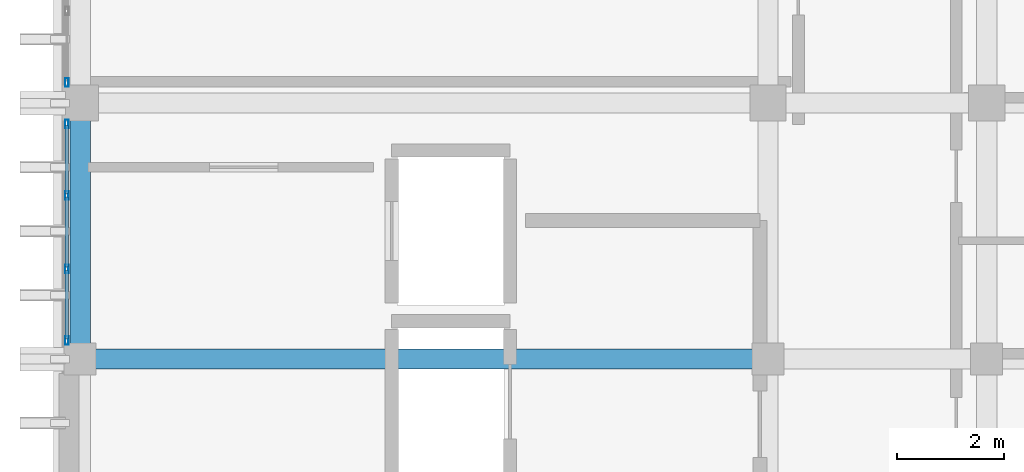
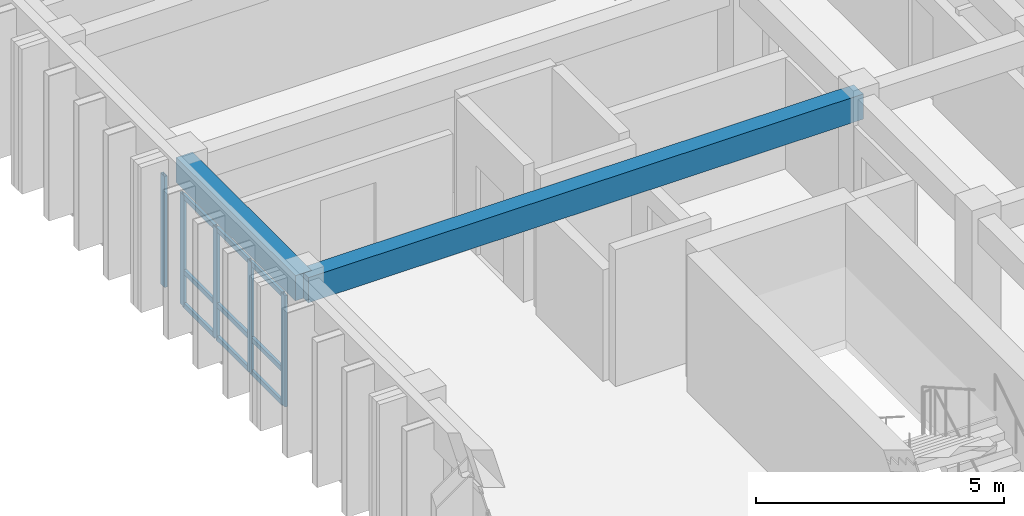
# One storey, part 20 of 53: 14 members, 2 beams, 2 elements without a shape of their own.
"""IFC4 building model written with IfcOpenShell, lengths in metres."""

from ifc_helpers import new_model, si_unit, direction, frame, origin, origin_2d, place, context, subcontext, project, spatial, rectangle, hollow_rectangle, extrude, material, layer, layer_set, material_profile, profile_set, type_object, element, aggregate, save


model = new_model("IFC4")

# Units and contexts
model_context = context("Model", 3, precision=1e-05, world=origin(), true_north=direction((0.0, 1.0)))
body_context = subcontext(model_context, "Body", "Model", "MODEL_VIEW")
ifc_project = project(units=[si_unit("LENGTHUNIT", "METRE"), si_unit("AREAUNIT", "SQUARE_METRE"), si_unit("VOLUMEUNIT", "CUBIC_METRE"), si_unit("PLANEANGLEUNIT", "RADIAN"), si_unit("MASSUNIT", "GRAM", prefix="KILO")], contexts=[model_context])

# Site, building, storey
site_placement = place(None, origin())
site = spatial("IfcSite", under=ifc_project, at=site_placement, CompositionType="ELEMENT")
building_placement = place(site_placement, origin())
building = spatial("IfcBuilding", under=site, at=building_placement, Name="Nakhvara Creek Congress Hotel", CompositionType="ELEMENT")
storey_placement = place(building_placement, frame((0.0, 0.0, 35.39990234375)))
storey = spatial("IfcBuildingStorey", under=building, at=storey_placement, Name="L08", CompositionType="ELEMENT", Elevation=35.39990234375)

# Beams
ifc_material_1 = material(Name="Concrete C40/50", Category="concrete")
ifc_material_profile_1 = material_profile(ifc_material_1, rectangle(XDim=0.3798828125, YDim=0.6201171875, at=origin_2d()), Name="RC-BM 380x620", Category="LoadBearing")
ifc_profile_set_1 = profile_set([ifc_material_profile_1], Name="Concrete C40/50")
beam_type = type_object("IfcBeamType", Name="BM-RC-380X620", PredefinedType="BEAM", material=ifc_profile_set_1)
beam_1_placement = place(storey_placement, frame((149.449951171875, 91.199951171875, 3.050048828125), z_axis=(0.0, 1.0, 0.0), x_axis=(-1.0, 0.0, 0.0)))
element("IfcBeam", 1, at=beam_1_placement, inside=storey, type_object=beam_type, Name="Beam B10-L08-2441", PredefinedType="BEAM", context=body_context, shape_type="SweptSolid", body=[
    extrude(rectangle(XDim=0.3798828125, YDim=0.6201171875, at=origin_2d()), origin(), (0.0, 0.0, 1.0), 4.800048828125),
])
beam_2_placement = place(storey_placement, frame((149.449951171875, 91.199951171875, 3.050048828125), z_axis=(1.0, 0.0, 0.0), x_axis=(0.0, 1.0, 0.0)))
element("IfcBeam", 2, at=beam_2_placement, inside=storey, type_object=beam_type, Name="Beam B10-L08-2514", PredefinedType="BEAM", context=body_context, shape_type="SweptSolid", body=[
    extrude(rectangle(XDim=0.3798828125, YDim=0.6201171875, at=origin_2d()), origin(), (0.0, 0.0, 1.0), 12.900146484375),
])

# Curtain wall, members
ifc_material_2 = material(Name="Bronze-anodised aluminium AW-6063-T6 and double-silver low-E glass", Category="aluminium")
ifc_layer = layer(ifc_material_2, 0.199951171875)
ifc_layer_set = layer_set([ifc_layer], Name="Bronze-anodised aluminium AW-6063-T6 and double-silver low-E glass")
curtain_wall_type = type_object("IfcCurtainWallType", Name="CW-HTL-UNIT", PredefinedType="USERDEFINED", material=ifc_layer_set)
curtain_wall_1_placement = place(storey_placement, origin())
curtain_wall_1 = element("IfcCurtainWall", 3, at=curtain_wall_1_placement, inside=storey, type_object=curtain_wall_type, Name="Curtain Wall CW286", ObjectType="UNITISED", PredefinedType="USERDEFINED")
ifc_material_3 = material(Name="Bronze-anodised aluminium AW-6063-T6", Category="aluminium")
ifc_material_profile_2 = material_profile(ifc_material_3, hollow_rectangle(XDim=0.06494140625, YDim=0.159912109375, WallThickness=0.00390625, at=origin_2d()), Name="ALU-MULL 65x160x4", Category="LoadBearing")
ifc_profile_set_2 = profile_set([ifc_material_profile_2], Name="Bronze-anodised aluminium AW-6063-T6")
member_type_1 = type_object("IfcMemberType", Name="CW-MULL-160", PredefinedType="MULLION", material=ifc_profile_set_2)
member_1_placement = place(storey_placement, frame((149.199951171875, 91.547607421875, 0.0), z_axis=(0.0, 0.0, 1.0), x_axis=(-1.0, 0.0, 0.0)))
member_1 = element("IfcMember", 4, at=member_1_placement, type_object=member_type_1, Name="CW286 mullion 1", PredefinedType="MULLION", context=body_context, shape_type="SweptSolid", body=[
    extrude(hollow_rectangle(XDim=0.06494140625, YDim=0.159912109375, WallThickness=0.00390625, at=origin_2d()), origin(), (0.0, 0.0, 1.0), 2.732177734375),
])
member_2_placement = place(storey_placement, frame((149.199951171875, 92.8916015625, 0.0), z_axis=(0.0, 0.0, 1.0), x_axis=(-1.0, 0.0, 0.0)))
member_2 = element("IfcMember", 5, at=member_2_placement, type_object=member_type_1, Name="CW286 mullion 2", PredefinedType="MULLION", context=body_context, shape_type="SweptSolid", body=[
    extrude(hollow_rectangle(XDim=0.06494140625, YDim=0.159912109375, WallThickness=0.00390625, at=origin_2d()), origin(), (0.0, 0.0, 1.0), 2.732177734375),
])
member_3_placement = place(storey_placement, frame((149.199951171875, 94.268310546875, 0.0), z_axis=(0.0, 0.0, 1.0), x_axis=(-1.0, 0.0, 0.0)))
member_3 = element("IfcMember", 6, at=member_3_placement, type_object=member_type_1, Name="CW286 mullion 3", PredefinedType="MULLION", context=body_context, shape_type="SweptSolid", body=[
    extrude(hollow_rectangle(XDim=0.06494140625, YDim=0.159912109375, WallThickness=0.00390625, at=origin_2d()), origin(), (0.0, 0.0, 1.0), 2.732177734375),
])
member_4_placement = place(storey_placement, frame((149.199951171875, 95.612548828125, 0.0), z_axis=(0.0, 0.0, 1.0), x_axis=(-1.0, 0.0, 0.0)))
member_4 = element("IfcMember", 7, at=member_4_placement, type_object=member_type_1, Name="CW286 mullion 4", PredefinedType="MULLION", context=body_context, shape_type="SweptSolid", body=[
    extrude(hollow_rectangle(XDim=0.06494140625, YDim=0.159912109375, WallThickness=0.00390625, at=origin_2d()), origin(), (0.0, 0.0, 1.0), 2.732177734375),
])

# Curtain wall, member
curtain_wall_2_placement = place(storey_placement, origin())
curtain_wall_2 = element("IfcCurtainWall", 8, at=curtain_wall_2_placement, inside=storey, type_object=curtain_wall_type, Name="Curtain Wall CW288", ObjectType="UNITISED", PredefinedType="USERDEFINED")
member_5_placement = place(storey_placement, frame((149.199951171875, 96.387451171875, 0.0), z_axis=(0.0, 0.0, 1.0), x_axis=(-1.0, 0.0, 0.0)))
member_5 = element("IfcMember", 9, at=member_5_placement, type_object=member_type_1, Name="CW288 mullion 1", PredefinedType="MULLION", context=body_context, shape_type="SweptSolid", body=[
    extrude(hollow_rectangle(XDim=0.06494140625, YDim=0.159912109375, WallThickness=0.00390625, at=origin_2d()), origin(), (0.0, 0.0, 1.0), 2.732177734375),
])
aggregate(curtain_wall_2, [member_5])

# Member
ifc_material_profile_3 = material_profile(ifc_material_3, hollow_rectangle(XDim=0.06494140625, YDim=0.1201171875, WallThickness=0.00390625, at=origin_2d()), Name="ALU-TRAN 65x120x4", Category="LoadBearing")
ifc_profile_set_3 = profile_set([ifc_material_profile_3], Name="Bronze-anodised aluminium AW-6063-T6")
member_type_2 = type_object("IfcMemberType", Name="CW-TRAN-120", PredefinedType="USERDEFINED", material=ifc_profile_set_3)
member_6_placement = place(storey_placement, frame((149.199951171875, 91.580078125, 0.03271484375), z_axis=(0.0, 1.0, 0.0), x_axis=(-1.0, 0.0, 0.0)))
member_6 = element("IfcMember", 10, at=member_6_placement, type_object=member_type_2, Name="CW286 transom 1.1", ObjectType="TRANSOM", PredefinedType="USERDEFINED", context=body_context, shape_type="SweptSolid", body=[
    extrude(hollow_rectangle(XDim=0.06494140625, YDim=0.1201171875, WallThickness=0.00390625, at=origin_2d()), origin(), (0.0, 0.0, 1.0), 1.279052734375),
])

member_7_placement = place(storey_placement, frame((149.199951171875, 91.580078125, 0.85009765625), z_axis=(0.0, 1.0, 0.0), x_axis=(-1.0, 0.0, 0.0)))
member_7 = element("IfcMember", 11, at=member_7_placement, type_object=member_type_2, Name="CW286 transom 1.2", ObjectType="TRANSOM", PredefinedType="USERDEFINED", context=body_context, shape_type="SweptSolid", body=[
    extrude(hollow_rectangle(XDim=0.06494140625, YDim=0.1201171875, WallThickness=0.00390625, at=origin_2d()), origin(), (0.0, 0.0, 1.0), 1.279052734375),
])

member_8_placement = place(storey_placement, frame((149.199951171875, 91.580078125, 2.69970703125), z_axis=(0.0, 1.0, 0.0), x_axis=(-1.0, 0.0, 0.0)))
member_8 = element("IfcMember", 12, at=member_8_placement, type_object=member_type_2, Name="CW286 transom 1.3", ObjectType="TRANSOM", PredefinedType="USERDEFINED", context=body_context, shape_type="SweptSolid", body=[
    extrude(hollow_rectangle(XDim=0.06494140625, YDim=0.1201171875, WallThickness=0.00390625, at=origin_2d()), origin(), (0.0, 0.0, 1.0), 1.279052734375),
])

member_9_placement = place(storey_placement, frame((149.199951171875, 92.924072265625, 0.03271484375), z_axis=(0.0, 1.0, 0.0), x_axis=(-1.0, 0.0, 0.0)))
member_9 = element("IfcMember", 13, at=member_9_placement, type_object=member_type_2, Name="CW286 transom 2.1", ObjectType="TRANSOM", PredefinedType="USERDEFINED", context=body_context, shape_type="SweptSolid", body=[
    extrude(hollow_rectangle(XDim=0.06494140625, YDim=0.1201171875, WallThickness=0.00390625, at=origin_2d()), origin(), (0.0, 0.0, 1.0), 1.311767578125),
])

member_10_placement = place(storey_placement, frame((149.199951171875, 92.924072265625, 0.85009765625), z_axis=(0.0, 1.0, 0.0), x_axis=(-1.0, 0.0, 0.0)))
member_10 = element("IfcMember", 14, at=member_10_placement, type_object=member_type_2, Name="CW286 transom 2.2", ObjectType="TRANSOM", PredefinedType="USERDEFINED", context=body_context, shape_type="SweptSolid", body=[
    extrude(hollow_rectangle(XDim=0.06494140625, YDim=0.1201171875, WallThickness=0.00390625, at=origin_2d()), origin(), (0.0, 0.0, 1.0), 1.311767578125),
])

member_11_placement = place(storey_placement, frame((149.199951171875, 92.924072265625, 2.69970703125), z_axis=(0.0, 1.0, 0.0), x_axis=(-1.0, 0.0, 0.0)))
member_11 = element("IfcMember", 15, at=member_11_placement, type_object=member_type_2, Name="CW286 transom 2.3", ObjectType="TRANSOM", PredefinedType="USERDEFINED", context=body_context, shape_type="SweptSolid", body=[
    extrude(hollow_rectangle(XDim=0.06494140625, YDim=0.1201171875, WallThickness=0.00390625, at=origin_2d()), origin(), (0.0, 0.0, 1.0), 1.311767578125),
])

member_12_placement = place(storey_placement, frame((149.199951171875, 94.30078125, 0.03271484375), z_axis=(0.0, 1.0, 0.0), x_axis=(-1.0, 0.0, 0.0)))
member_12 = element("IfcMember", 16, at=member_12_placement, type_object=member_type_2, Name="CW286 transom 3.1", ObjectType="TRANSOM", PredefinedType="USERDEFINED", context=body_context, shape_type="SweptSolid", body=[
    extrude(hollow_rectangle(XDim=0.06494140625, YDim=0.1201171875, WallThickness=0.00390625, at=origin_2d()), origin(), (0.0, 0.0, 1.0), 1.279296875),
])

member_13_placement = place(storey_placement, frame((149.199951171875, 94.30078125, 0.85009765625), z_axis=(0.0, 1.0, 0.0), x_axis=(-1.0, 0.0, 0.0)))
member_13 = element("IfcMember", 17, at=member_13_placement, type_object=member_type_2, Name="CW286 transom 3.2", ObjectType="TRANSOM", PredefinedType="USERDEFINED", context=body_context, shape_type="SweptSolid", body=[
    extrude(hollow_rectangle(XDim=0.06494140625, YDim=0.1201171875, WallThickness=0.00390625, at=origin_2d()), origin(), (0.0, 0.0, 1.0), 1.279296875),
])

member_14_placement = place(storey_placement, frame((149.199951171875, 94.30078125, 2.69970703125), z_axis=(0.0, 1.0, 0.0), x_axis=(-1.0, 0.0, 0.0)))
member_14 = element("IfcMember", 18, at=member_14_placement, type_object=member_type_2, Name="CW286 transom 3.3", ObjectType="TRANSOM", PredefinedType="USERDEFINED", context=body_context, shape_type="SweptSolid", body=[
    extrude(hollow_rectangle(XDim=0.06494140625, YDim=0.1201171875, WallThickness=0.00390625, at=origin_2d()), origin(), (0.0, 0.0, 1.0), 1.279296875),
])

aggregate(curtain_wall_1, [member_1, member_2, member_3, member_4, member_6, member_7, member_8, member_9, member_10, member_11, member_12, member_13, member_14])

save(model, "model.ifc")
